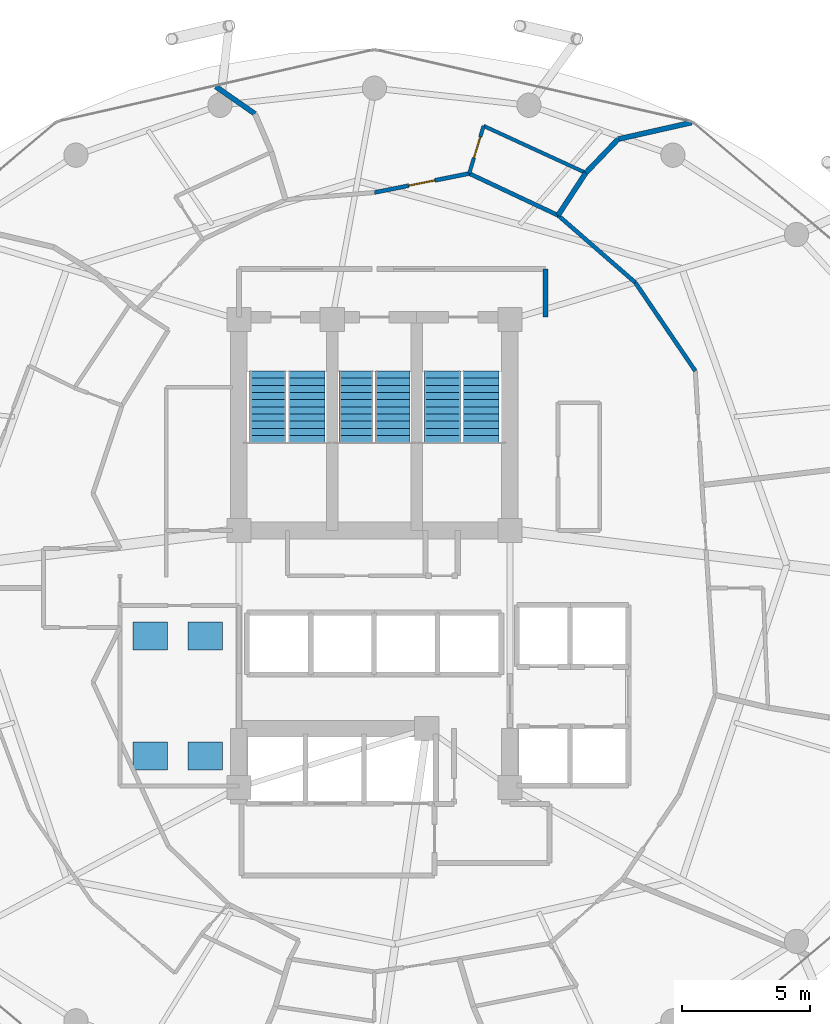
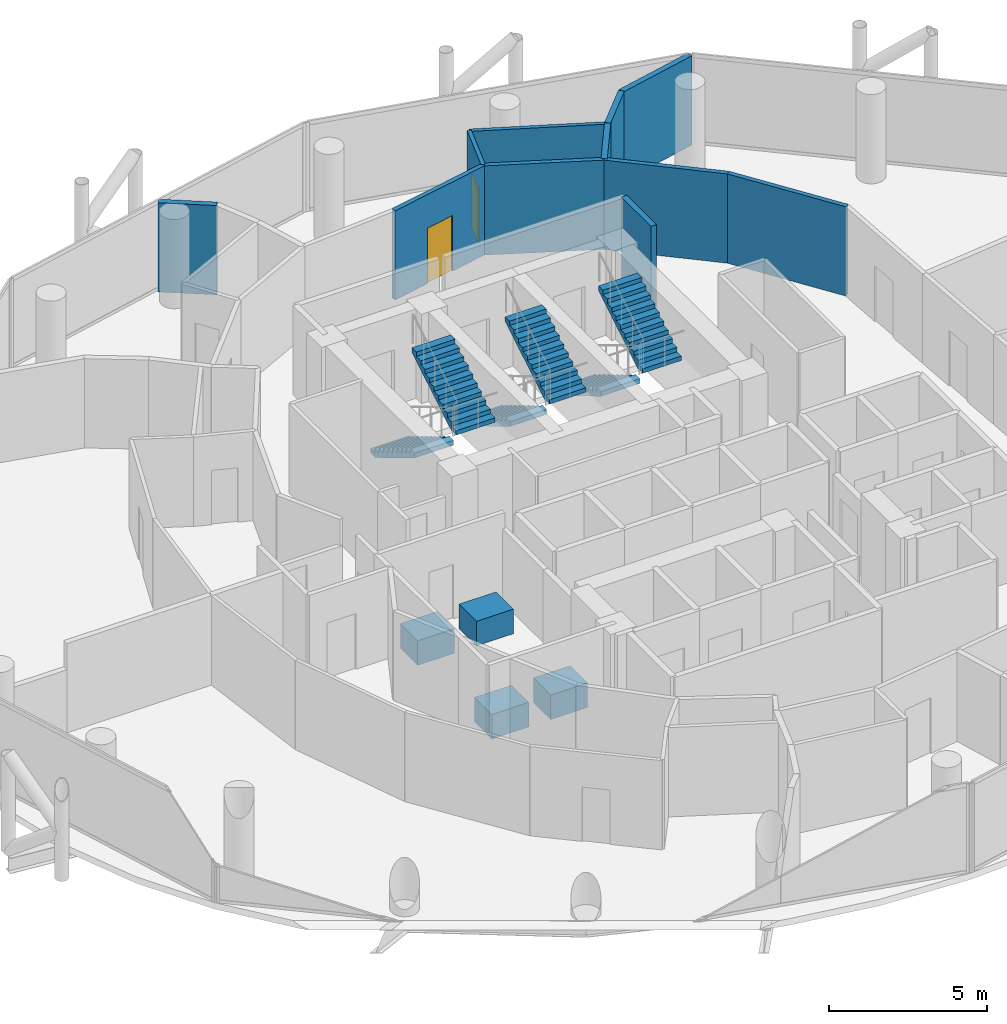
# One storey, part 25 of 26: 11 walls, 6 stair flights, 4 discrete accessories, 2 doors, 2 openings, 3 elements without a shape of their own.
"""IFC4 building model written with IfcOpenShell, lengths in metres."""

from ifc_helpers import new_model, si_unit, direction, frame, frame_2d, origin, origin_2d, place, context, subcontext, project, spatial, polyline, rectangle, outline, extrude, material, layer, layer_set, type_object, element, fill, aggregate, save


model = new_model("IFC4")

# Units and contexts
model_context = context("Model", 3, precision=1e-05, world=origin(), true_north=direction((0.0, 1.0)))
body_context = subcontext(model_context, "Body", "Model", "MODEL_VIEW")
ifc_project = project(units=[si_unit("LENGTHUNIT", "METRE"), si_unit("AREAUNIT", "SQUARE_METRE"), si_unit("VOLUMEUNIT", "CUBIC_METRE"), si_unit("PLANEANGLEUNIT", "RADIAN"), si_unit("MASSUNIT", "GRAM", prefix="KILO")], contexts=[model_context])

# Site, building, storey
site_placement = place(None, origin())
site = spatial("IfcSite", under=ifc_project, at=site_placement, CompositionType="ELEMENT")
building_placement = place(site_placement, origin())
building = spatial("IfcBuilding", under=site, at=building_placement, Name="Nuhasar Tower", CompositionType="ELEMENT")
storey_placement = place(building_placement, frame((0.0, 0.0, 118.25)))
storey = spatial("IfcBuildingStorey", under=building, at=storey_placement, Name="L27", CompositionType="ELEMENT", Elevation=118.25)

# Walls
ifc_material_1 = material(Name="Gypsum Board", Category="gypsum")
ifc_layer_1 = layer(ifc_material_1, 0.159912109375)
ifc_layer_set_1 = layer_set([ifc_layer_1], Name="Gypsum Board")
wall_type_1 = type_object("IfcWallType", Name="WL-CORR-160", PredefinedType="PARTITIONING", material=ifc_layer_set_1)
wall_1_placement = place(storey_placement, frame((51.552001953125, 35.291015625, 0.0), z_axis=(0.0, 0.0, 1.0), x_axis=(-0.561923717395, 0.827189056884, 0.0)))
element("IfcWall", 1, at=wall_1_placement, inside=storey, type_object=wall_type_1, Name="L27 Interior Partition CORR-04", PredefinedType="PARTITIONING", context=body_context, shape_type="SweptSolid", body=[
    extrude(rectangle(XDim=4.18408203125, YDim=0.159912109375, at=frame_2d((2.092041015625, 0.0))), origin(), (0.0, 0.0, 1.0), 3.449951171875),
])
wall_2_placement = place(storey_placement, frame((49.200927734375, 38.751953125, 0.0), z_axis=(0.0, 0.0, 1.0), x_axis=(-0.754279528435, 0.656553419749, 0.0)))
element("IfcWall", 2, at=wall_2_placement, inside=storey, type_object=wall_type_1, Name="L27 Interior Partition CORR-06", PredefinedType="PARTITIONING", context=body_context, shape_type="SweptSolid", body=[
    extrude(rectangle(XDim=3.999755859375, YDim=0.159912109375, at=frame_2d((2.0, 0.0))), origin(), (0.0, 0.0, 1.0), 3.449951171875),
])
wall_3_placement = place(storey_placement, frame((46.18408203125, 41.3779296875, 0.0), z_axis=(0.0, 0.0, 1.0), x_axis=(-0.904799978896, 0.425836821083, 0.0)))
element("IfcWall", 3, at=wall_3_placement, inside=storey, type_object=wall_type_1, Name="L27 Interior Partition CORR-08", PredefinedType="PARTITIONING", context=body_context, shape_type="SweptSolid", body=[
    extrude(rectangle(XDim=3.841796875, YDim=0.159912109375, at=frame_2d((1.9208984375, 0.0))), origin(), (0.0, 0.0, 1.0), 3.449951171875),
])

# Wall, opening, door
wall_4_placement = place(storey_placement, frame((39.0, 42.27001953125, 0.0), z_axis=(0.0, 0.0, 1.0), x_axis=(0.980463806225, 0.196699579771, 0.0)))
wall_4 = element("IfcWall", 4, at=wall_4_placement, inside=storey, type_object=wall_type_1, Name="L27 Interior Partition CORR-10", PredefinedType="PARTITIONING", context=body_context, shape_type="SweptSolid", body=[
    extrude(rectangle(XDim=3.781982421875, YDim=0.159912109375, at=frame_2d((1.89111328125, 0.0))), origin(), (0.0, 0.0, 1.0), 3.449951171875),
])
opening_1_placement = place(wall_4_placement, frame((1.365966796875, 0.0, 0.0)))
opening_1 = element("IfcOpeningElement", 5, at=opening_1_placement, cuts=wall_4, Name="Opening DU-01", PredefinedType="OPENING", context=body_context, shape_type="SweptSolid", body=[
    extrude(rectangle(XDim=1.050048828125, YDim=2.14990234375, at=frame_2d((0.52490234375, 1.074951171875))), frame((0.0, 0.08984375, 0.0), z_axis=(0.0, -1.0, 0.0), x_axis=(1.0, 0.0, 0.0)), (0.0, 0.0, 1.0), 0.179931640625),
])
ifc_material_2 = material(Name="Timber Oak", Category="wood")
door_type_1 = type_object("IfcDoorType", Name="DR-SUITE-FD60-1050", OperationType="NOTDEFINED", PredefinedType="DOOR", material=ifc_material_2)
door_1_placement = place(opening_1_placement, origin())
door_1 = element("IfcDoor", 6, at=door_1_placement, inside=storey, type_object=door_type_1, Name="L27 Deluxe Junior Suite 05 Entrance Door", OperationType="SINGLE_SWING_RIGHT", OverallHeight=2.14990234375, OverallWidth=1.050048828125, PredefinedType="DOOR", context=body_context, shape_type="SweptSolid", body=[
    extrude(rectangle(XDim=1.050048828125, YDim=2.14990234375, at=frame_2d((0.52490234375, 1.074951171875))), frame((0.0, 0.02490234375, 0.0), z_axis=(0.0, -1.0, 0.0), x_axis=(1.0, 0.0, 0.0)), (0.0, 0.0, 1.0), 0.050048828125),
])
fill(opening_1, door_1)

# Walls
ifc_material_3 = material(Name="Concrete C45/55", Category="concrete")
ifc_layer_2 = layer(ifc_material_3, 0.199951171875)
ifc_layer_set_2 = layer_set([ifc_layer_2], Name="Concrete C45/55")
wall_type_2 = type_object("IfcWallType", Name="WL-LOBBY-200", PredefinedType="SOLIDWALL", material=ifc_layer_set_2)
wall_5_placement = place(storey_placement, frame((45.699951171875, 37.39990234375, 0.0), z_axis=(0.0, 0.0, 1.0), x_axis=(0.0, 1.0, 0.0)))
element("IfcWall", 7, at=wall_5_placement, inside=storey, type_object=wall_type_2, Name="L27 Interior Partition NSL-E", PredefinedType="SOLIDWALL", context=body_context, shape_type="SweptSolid", body=[
    extrude(rectangle(XDim=1.880126953125, YDim=0.199951171875, at=frame_2d((0.93994140625, 0.0))), origin(), (0.0, 0.0, 1.0), 3.449951171875),
])
ifc_material_4 = material(Name="Concrete C40/50 precast", Category="concrete")
ifc_layer_3 = layer(ifc_material_4, 0.199951171875)
ifc_layer_set_3 = layer_set([ifc_layer_3], Name="Concrete C40/50 precast")
wall_type_3 = type_object("IfcWallType", Name="WL-UNIT-200", PredefinedType="PARTITIONING", material=ifc_layer_set_3)
wall_6_placement = place(storey_placement, frame((46.18408203125, 41.3779296875, 0.0), z_axis=(0.0, 0.0, 1.0), x_axis=(0.547063612758, 0.837091036624, 0.0)))
element("IfcWall", 8, at=wall_6_placement, inside=storey, type_object=wall_type_3, Name="L27 Interior Partition HRAD-08-S1", PredefinedType="PARTITIONING", context=body_context, shape_type="SweptSolid", body=[
    extrude(rectangle(XDim=1.983154296875, YDim=0.199951171875, at=frame_2d((0.99169921875, 0.0))), origin(), (0.0, 0.0, 1.0), 3.449951171875),
])
wall_7_placement = place(storey_placement, frame((47.26904296875, 43.0380859375, 0.0), z_axis=(0.0, 0.0, 1.0), x_axis=(0.69193434713, 0.721960427767, 0.0)))
element("IfcWall", 9, at=wall_7_placement, inside=storey, type_object=wall_type_3, Name="L27 Interior Partition HRAD-08-S2", PredefinedType="PARTITIONING", context=body_context, shape_type="SweptSolid", body=[
    extrude(rectangle(XDim=1.829345703125, YDim=0.199951171875, at=frame_2d((0.91455078125, 0.0))), origin(), (0.0, 0.0, 1.0), 3.449951171875),
])
wall_8_placement = place(storey_placement, frame((48.534912109375, 44.35888671875, 0.0), z_axis=(0.0, 0.0, 1.0), x_axis=(0.975494880769, 0.220022129779, 0.0)))
element("IfcWall", 10, at=wall_8_placement, inside=storey, type_object=wall_type_3, Name="L27 Interior Partition HRAD-08-S3", PredefinedType="PARTITIONING", context=body_context, shape_type="SweptSolid", body=[
    extrude(rectangle(XDim=2.950439453125, YDim=0.199951171875, at=frame_2d((1.47509765625, 0.0))), origin(), (0.0, 0.0, 1.0), 3.449951171875),
])
wall_9_placement = place(storey_placement, frame((34.325927734375, 45.34912109375, 0.0), z_axis=(0.0, 0.0, 1.0), x_axis=(-0.820611891479, 0.571485890958, 0.0)))
element("IfcWall", 11, at=wall_9_placement, inside=storey, type_object=wall_type_3, Name="L27 Interior Partition HRAD-14-S3", PredefinedType="PARTITIONING", context=body_context, shape_type="SweptSolid", body=[
    extrude(rectangle(XDim=1.866943359375, YDim=0.199951171875, at=frame_2d((0.93359375, 0.0))), origin(), (0.0, 0.0, 1.0), 3.449951171875),
])

# Wall, opening, door
ifc_layer_4 = layer(ifc_material_4, 0.139892578125)
ifc_layer_set_4 = layer_set([ifc_layer_4], Name="Concrete C40/50 precast")
wall_type_4 = type_object("IfcWallType", Name="WL-WET-140", PredefinedType="PARTITIONING", material=ifc_layer_set_4)
wall_10_placement = place(storey_placement, frame((42.7080078125, 43.013916015625, 0.0), z_axis=(0.0, 0.0, 1.0), x_axis=(0.289547352799, 0.95716369054, 0.0)))
wall_10 = element("IfcWall", 12, at=wall_10_placement, inside=storey, type_object=wall_type_4, Name="L27 Interior Partition HBW-06", PredefinedType="PARTITIONING", context=body_context, shape_type="SweptSolid", body=[
    extrude(rectangle(XDim=1.9443359375, YDim=0.139892578125, at=frame_2d((0.97216796875, 0.0))), origin(), (0.0, 0.0, 1.0), 3.449951171875),
])
opening_2_placement = place(wall_10_placement, frame((0.64404296875, 0.0, 0.0)))
opening_2 = element("IfcOpeningElement", 13, at=opening_2_placement, cuts=wall_10, Name="Opening DB-01", PredefinedType="OPENING", context=body_context, shape_type="SweptSolid", body=[
    extrude(rectangle(XDim=0.85009765625, YDim=2.10009765625, at=frame_2d((0.425048828125, 1.050048828125))), frame((0.0, 0.080078125, 0.0), z_axis=(0.0, -1.0, 0.0), x_axis=(1.0, 0.0, 0.0)), (0.0, 0.0, 1.0), 0.159912109375),
])
door_type_2 = type_object("IfcDoorType", Name="DR-BATH-850", OperationType="NOTDEFINED", PredefinedType="DOOR", material=ifc_material_2)
door_2_placement = place(opening_2_placement, origin())
door_2 = element("IfcDoor", 14, at=door_2_placement, inside=storey, type_object=door_type_2, Name="L27 Deluxe Junior Suite 05 En-Suite Door", OperationType="SINGLE_SWING_RIGHT", OverallHeight=2.10009765625, OverallWidth=0.85009765625, PredefinedType="DOOR", context=body_context, shape_type="SweptSolid", body=[
    extrude(rectangle(XDim=0.85009765625, YDim=2.10009765625, at=frame_2d((0.425048828125, 1.050048828125))), frame((0.0, 0.02490234375, 0.0), z_axis=(0.0, -1.0, 0.0), x_axis=(1.0, 0.0, 0.0)), (0.0, 0.0, 1.0), 0.050048828125),
])
fill(opening_2, door_2)

# Wall
wall_11_placement = place(storey_placement, frame((47.26904296875, 43.0380859375, 0.0), z_axis=(0.0, 0.0, 1.0), x_axis=(-0.908679119713, 0.417495218412, 0.0)))
element("IfcWall", 15, at=wall_11_placement, inside=storey, type_object=wall_type_4, Name="L27 Interior Partition HBF-06-08", PredefinedType="PARTITIONING", context=body_context, shape_type="SweptSolid", body=[
    extrude(rectangle(XDim=4.39990234375, YDim=0.139892578125, at=frame_2d((2.199951171875, 0.0))), origin(), (0.0, 0.0, 1.0), 3.449951171875),
])

# Stair, stair flights
stair_type_1 = type_object("IfcStairType", Name="STR-ST-01-2F-22R-1682", PredefinedType="HALF_TURN_STAIR", material=ifc_material_3)
stair_1_placement = place(storey_placement, origin())
stair_1 = element("IfcStair", 16, at=stair_1_placement, inside=storey, type_object=stair_type_1, Name="L27 Exit Stair ST-01", PredefinedType="HALF_TURN_STAIR")
stair_flight_type_1 = type_object("IfcStairFlightType", Name="SFL-ST-01-11R-1682", PredefinedType="STRAIGHT", material=ifc_material_3)
stair_flight_1_placement = place(storey_placement, frame((34.830078125, 35.284912109375, 0.0), z_axis=(0.0, 0.0, 1.0), x_axis=(0.0, -1.0, 0.0)))
stair_flight_1 = element("IfcStairFlight", 17, at=stair_flight_1_placement, type_object=stair_flight_type_1, Name="ST-01 flight 1", NumberOfRisers=11, NumberOfTreads=10, PredefinedType="STRAIGHT", RiserHeight=0.168182, TreadLength=0.28, context=body_context, shape_type="SweptSolid", body=[
    extrude(outline(polyline([(0.0, 0.0), (0.0, 0.168212890625), (0.280029296875, 0.168212890625), (0.280029296875, 0.33642578125), (0.56005859375, 0.33642578125), (0.56005859375, 0.504638671875), (0.840087890625, 0.504638671875), (0.840087890625, 0.672607421875), (1.1201171875, 0.672607421875), (1.1201171875, 0.8408203125), (1.39990234375, 0.8408203125), (1.39990234375, 1.009033203125), (1.679931640625, 1.009033203125), (1.679931640625, 1.17724609375), (1.9599609375, 1.17724609375), (1.9599609375, 1.345458984375), (2.239990234375, 1.345458984375), (2.239990234375, 1.513671875), (2.52001953125, 1.513671875), (2.52001953125, 1.681884765625), (2.800048828125, 1.681884765625), (2.800048828125, 1.85009765625), (2.800048828125, 1.495361328125), (0.310546875, 0.0), (0.0, 0.0)])), frame((0.0, 0.7099609375, 0.0), z_axis=(0.0, -1.0, 0.0), x_axis=(1.0, 0.0, 0.0)), (0.0, 0.0, 1.0), 1.419921875),
])
stair_flight_2_placement = place(storey_placement, frame((36.35009765625, 32.485107421875, 1.85009765625), z_axis=(0.0, 0.0, 1.0), x_axis=(0.0, 1.0, 0.0)))
stair_flight_2 = element("IfcStairFlight", 18, at=stair_flight_2_placement, type_object=stair_flight_type_1, Name="ST-01 flight 2", NumberOfRisers=11, NumberOfTreads=10, PredefinedType="STRAIGHT", RiserHeight=0.168182, TreadLength=0.28, context=body_context, shape_type="SweptSolid", body=[
    extrude(outline(polyline([(0.0, 0.0), (0.0, 0.168212890625), (0.280029296875, 0.168212890625), (0.280029296875, 0.33642578125), (0.56005859375, 0.33642578125), (0.56005859375, 0.504638671875), (0.840087890625, 0.504638671875), (0.840087890625, 0.672607421875), (1.1201171875, 0.672607421875), (1.1201171875, 0.8408203125), (1.39990234375, 0.8408203125), (1.39990234375, 1.009033203125), (1.679931640625, 1.009033203125), (1.679931640625, 1.17724609375), (1.9599609375, 1.17724609375), (1.9599609375, 1.345458984375), (2.239990234375, 1.345458984375), (2.239990234375, 1.513671875), (2.52001953125, 1.513671875), (2.52001953125, 1.681884765625), (2.800048828125, 1.681884765625), (2.800048828125, 1.85009765625), (2.800048828125, 1.495361328125), (0.310546875, 0.0), (0.0, 0.0)])), frame((0.0, 0.7099609375, 0.0), z_axis=(0.0, -1.0, 0.0), x_axis=(1.0, 0.0, 0.0)), (0.0, 0.0, 1.0), 1.419921875),
])
aggregate(stair_1, [stair_flight_1, stair_flight_2])

stair_type_2 = type_object("IfcStairType", Name="STR-ST-02-2F-22R-1682", PredefinedType="HALF_TURN_STAIR", material=ifc_material_3)
stair_2_placement = place(storey_placement, origin())
stair_2 = element("IfcStair", 19, at=stair_2_placement, inside=storey, type_object=stair_type_2, Name="L27 Exit Stair ST-02", PredefinedType="HALF_TURN_STAIR")
stair_flight_type_2 = type_object("IfcStairFlightType", Name="SFL-ST-02-11R-1682", PredefinedType="STRAIGHT", material=ifc_material_3)
stair_flight_3_placement = place(storey_placement, frame((41.64990234375, 35.284912109375, 0.0), z_axis=(0.0, 0.0, 1.0), x_axis=(0.0, -1.0, 0.0)))
stair_flight_3 = element("IfcStairFlight", 20, at=stair_flight_3_placement, type_object=stair_flight_type_2, Name="ST-02 flight 1", NumberOfRisers=11, NumberOfTreads=10, PredefinedType="STRAIGHT", RiserHeight=0.168182, TreadLength=0.28, context=body_context, shape_type="SweptSolid", body=[
    extrude(outline(polyline([(0.0, 0.0), (0.0, 0.168212890625), (0.280029296875, 0.168212890625), (0.280029296875, 0.33642578125), (0.56005859375, 0.33642578125), (0.56005859375, 0.504638671875), (0.840087890625, 0.504638671875), (0.840087890625, 0.672607421875), (1.1201171875, 0.672607421875), (1.1201171875, 0.8408203125), (1.39990234375, 0.8408203125), (1.39990234375, 1.009033203125), (1.679931640625, 1.009033203125), (1.679931640625, 1.17724609375), (1.9599609375, 1.17724609375), (1.9599609375, 1.345458984375), (2.239990234375, 1.345458984375), (2.239990234375, 1.513671875), (2.52001953125, 1.513671875), (2.52001953125, 1.681884765625), (2.800048828125, 1.681884765625), (2.800048828125, 1.85009765625), (2.800048828125, 1.495361328125), (0.310546875, 0.0), (0.0, 0.0)])), frame((0.0, 0.7099609375, 0.0), z_axis=(0.0, -1.0, 0.0), x_axis=(1.0, 0.0, 0.0)), (0.0, 0.0, 1.0), 1.419921875),
])
stair_flight_4_placement = place(storey_placement, frame((43.169921875, 32.485107421875, 1.85009765625), z_axis=(0.0, 0.0, 1.0), x_axis=(0.0, 1.0, 0.0)))
stair_flight_4 = element("IfcStairFlight", 21, at=stair_flight_4_placement, type_object=stair_flight_type_2, Name="ST-02 flight 2", NumberOfRisers=11, NumberOfTreads=10, PredefinedType="STRAIGHT", RiserHeight=0.168182, TreadLength=0.28, context=body_context, shape_type="SweptSolid", body=[
    extrude(outline(polyline([(0.0, 0.0), (0.0, 0.168212890625), (0.280029296875, 0.168212890625), (0.280029296875, 0.33642578125), (0.56005859375, 0.33642578125), (0.56005859375, 0.504638671875), (0.840087890625, 0.504638671875), (0.840087890625, 0.672607421875), (1.1201171875, 0.672607421875), (1.1201171875, 0.8408203125), (1.39990234375, 0.8408203125), (1.39990234375, 1.009033203125), (1.679931640625, 1.009033203125), (1.679931640625, 1.17724609375), (1.9599609375, 1.17724609375), (1.9599609375, 1.345458984375), (2.239990234375, 1.345458984375), (2.239990234375, 1.513671875), (2.52001953125, 1.513671875), (2.52001953125, 1.681884765625), (2.800048828125, 1.681884765625), (2.800048828125, 1.85009765625), (2.800048828125, 1.495361328125), (0.310546875, 0.0), (0.0, 0.0)])), frame((0.0, 0.7099609375, 0.0), z_axis=(0.0, -1.0, 0.0), x_axis=(1.0, 0.0, 0.0)), (0.0, 0.0, 1.0), 1.419921875),
])
aggregate(stair_2, [stair_flight_3, stair_flight_4])

stair_type_3 = type_object("IfcStairType", Name="STR-ST-03-2F-22R-1682", PredefinedType="HALF_TURN_STAIR", material=ifc_material_3)
stair_3_placement = place(storey_placement, origin())
stair_3 = element("IfcStair", 22, at=stair_3_placement, inside=storey, type_object=stair_type_3, Name="L27 Exit Stair ST-03", PredefinedType="HALF_TURN_STAIR")
stair_flight_type_3 = type_object("IfcStairFlightType", Name="SFL-ST-03-11R-1682", PredefinedType="STRAIGHT", material=ifc_material_3)
stair_flight_5_placement = place(storey_placement, frame((38.280029296875, 35.284912109375, 0.0), z_axis=(0.0, 0.0, 1.0), x_axis=(0.0, -1.0, 0.0)))
stair_flight_5 = element("IfcStairFlight", 23, at=stair_flight_5_placement, type_object=stair_flight_type_3, Name="ST-03 flight 1", NumberOfRisers=11, NumberOfTreads=10, PredefinedType="STRAIGHT", RiserHeight=0.168182, TreadLength=0.28, context=body_context, shape_type="SweptSolid", body=[
    extrude(outline(polyline([(0.0, 0.0), (0.0, 0.168212890625), (0.280029296875, 0.168212890625), (0.280029296875, 0.33642578125), (0.56005859375, 0.33642578125), (0.56005859375, 0.504638671875), (0.840087890625, 0.504638671875), (0.840087890625, 0.672607421875), (1.1201171875, 0.672607421875), (1.1201171875, 0.8408203125), (1.39990234375, 0.8408203125), (1.39990234375, 1.009033203125), (1.679931640625, 1.009033203125), (1.679931640625, 1.17724609375), (1.9599609375, 1.17724609375), (1.9599609375, 1.345458984375), (2.239990234375, 1.345458984375), (2.239990234375, 1.513671875), (2.52001953125, 1.513671875), (2.52001953125, 1.681884765625), (2.800048828125, 1.681884765625), (2.800048828125, 1.85009765625), (2.800048828125, 1.495361328125), (0.310546875, 0.0), (0.0, 0.0)])), frame((0.0, 0.669921875, 0.0), z_axis=(0.0, -1.0, 0.0), x_axis=(1.0, 0.0, 0.0)), (0.0, 0.0, 1.0), 1.340087890625),
])
stair_flight_6_placement = place(storey_placement, frame((39.719970703125, 32.485107421875, 1.85009765625), z_axis=(0.0, 0.0, 1.0), x_axis=(0.0, 1.0, 0.0)))
stair_flight_6 = element("IfcStairFlight", 24, at=stair_flight_6_placement, type_object=stair_flight_type_3, Name="ST-03 flight 2", NumberOfRisers=11, NumberOfTreads=10, PredefinedType="STRAIGHT", RiserHeight=0.168182, TreadLength=0.28, context=body_context, shape_type="SweptSolid", body=[
    extrude(outline(polyline([(0.0, 0.0), (0.0, 0.168212890625), (0.280029296875, 0.168212890625), (0.280029296875, 0.33642578125), (0.56005859375, 0.33642578125), (0.56005859375, 0.504638671875), (0.840087890625, 0.504638671875), (0.840087890625, 0.672607421875), (1.1201171875, 0.672607421875), (1.1201171875, 0.8408203125), (1.39990234375, 0.8408203125), (1.39990234375, 1.009033203125), (1.679931640625, 1.009033203125), (1.679931640625, 1.17724609375), (1.9599609375, 1.17724609375), (1.9599609375, 1.345458984375), (2.239990234375, 1.345458984375), (2.239990234375, 1.513671875), (2.52001953125, 1.513671875), (2.52001953125, 1.681884765625), (2.800048828125, 1.681884765625), (2.800048828125, 1.85009765625), (2.800048828125, 1.495361328125), (0.310546875, 0.0), (0.0, 0.0)])), frame((0.0, 0.669921875, 0.0), z_axis=(0.0, -1.0, 0.0), x_axis=(1.0, 0.0, 0.0)), (0.0, 0.0, 1.0), 1.340087890625),
])
aggregate(stair_3, [stair_flight_5, stair_flight_6])

# Discrete accessories
ifc_material_5 = material(Name="Steel S355", Category="steel")
discrete_accessory_type = type_object("IfcDiscreteAccessoryType", Name="ACC-LFT-MACHINE", PredefinedType="USERDEFINED", material=ifc_material_5)
for number, where, z_axis, x_axis, name in (
    (25, (30.22509765625, 24.925048828125, 0.0), (0.0, 0.0, 1.0), (1.0, 0.0, 0.0), "Lift Traction Hoist Machine PL-L01"),
    (26, (32.375, 24.925048828125, 0.0), (0.0, 0.0, 1.0), (1.0, 0.0, 0.0), "Lift Traction Hoist Machine PL-L02"),
    (27, (30.22509765625, 20.22509765625, 0.0), (0.0, 0.0, 1.0), (1.0, 0.0, 0.0), "Lift Traction Hoist Machine PL-L03"),
    (28, (32.375, 20.22509765625, 0.0), (0.0, 0.0, 1.0), (1.0, 0.0, 0.0), "Lift Traction Hoist Machine PL-L04"),
):
    element("IfcDiscreteAccessory", number, at=place(storey_placement, frame(where, z_axis=z_axis, x_axis=x_axis)), inside=storey, type_object=discrete_accessory_type, Name=name, ObjectType="LIFT_TRACTION_MACHINE", PredefinedType="USERDEFINED", context=body_context, shape_type="SweptSolid", body=[
        extrude(rectangle(XDim=1.35009765625, YDim=1.10009765625, at=origin_2d()), origin(), (0.0, 0.0, 1.0), 0.949951171875),
    ])

save(model, "model.ifc")
